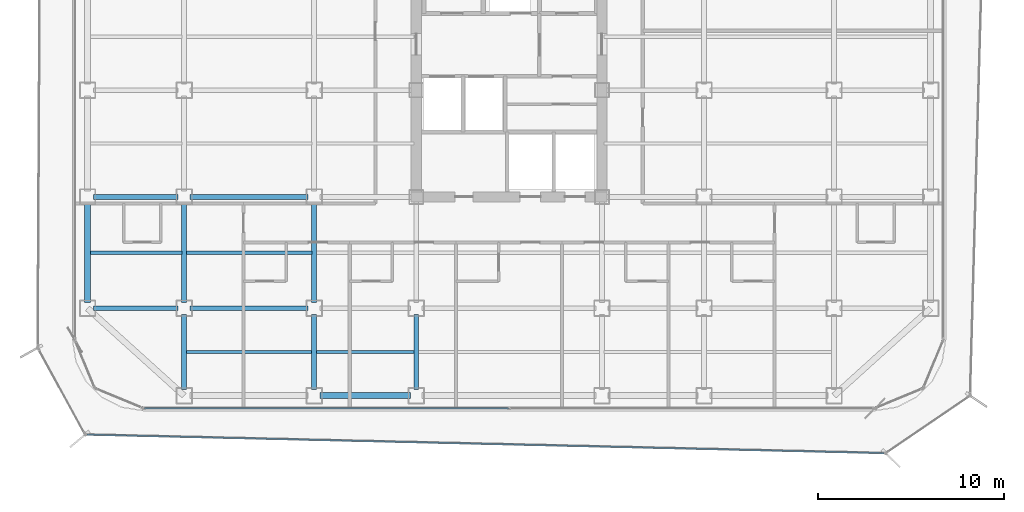
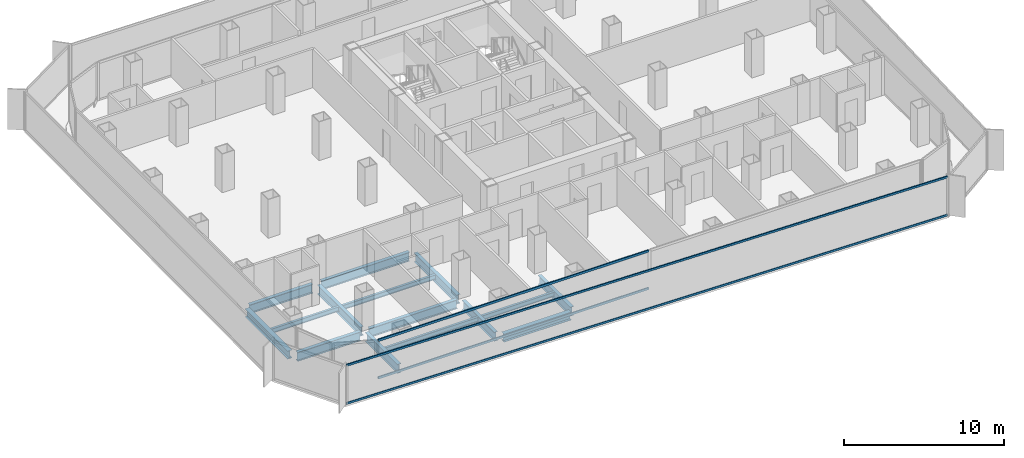
# One storey, part 3 of 21: 15 beams, 4 members, 2 elements without a shape of their own.
"""IFC4 building model written with IfcOpenShell, lengths in metres."""

import ifcopenshell
import ifcopenshell.guid

model = None  # the IFC model being written
_history = None  # IfcOwnerHistory: only IFC2X3 demands one
_inside = {}  # id of a spatial element -> (the spatial element, [elements in it])
_under = {}  # id of a project, library or spatial element -> (it, [spatial elements below it])
_declared = {}  # id of a project -> (the project, [libraries it declares])
_typed = {}  # id of a type object -> (the type object, [elements of that type])
_made_of = {}  # id of a material, layer set ... -> (it, [elements and type objects made of it])


def new_model(schema):
    """Start an empty IFC model of exactly this schema.

    Asked for "IFC4X3", IfcOpenShell would pick the latest addendum, in which some entities
    have other attributes; the version numbers below select the first issue.
    IFC2X3 requires an IfcOwnerHistory on every rooted entity: one is made here for all.
    """
    global model, _history
    if schema == "IFC4X3":
        model = ifcopenshell.file(schema_version=(4, 3, 0, 0))
    else:
        model = ifcopenshell.file(schema=schema)
    _inside.clear()
    _under.clear()
    _declared.clear()
    _typed.clear()
    _made_of.clear()
    _history = None
    if model.schema == "IFC2X3":
        org = make("IfcOrganization", Name="unknown")
        user = make(
            "IfcPersonAndOrganization",
            ThePerson=make("IfcPerson", FamilyName="unknown"),
            TheOrganization=org,
        )
        app = make(
            "IfcApplication",
            ApplicationDeveloper=org,
            Version="unknown",
            ApplicationFullName="unknown",
            ApplicationIdentifier="unknown",
        )
        _history = make(
            "IfcOwnerHistory",
            OwningUser=user,
            OwningApplication=app,
            ChangeAction="ADDED",
            CreationDate=0,
        )
    return model


def make(cls, **values):
    """One entity of the class cls with the attributes given. An attribute that is None is left unset."""
    return model.create_entity(
        cls, **{name: value for name, value in values.items() if value is not None}
    )


def rooted(cls, **values):
    """An entity with a GlobalId (a new one), such as an element, a storey or a relation."""
    return make(cls, GlobalId=ifcopenshell.guid.new(), OwnerHistory=_history, **values)


def si_unit(unit_type, name, prefix=None):
    """IfcSIUnit, for example si_unit("LENGTHUNIT", "METRE", prefix="MILLI")."""
    return make("IfcSIUnit", UnitType=unit_type, Prefix=prefix, Name=name)


def assignment(units):
    """IfcUnitAssignment: the units of a project."""
    return None if units is None else make("IfcUnitAssignment", Units=units)


def point(xyz):
    """IfcCartesianPoint."""
    return None if xyz is None else make("IfcCartesianPoint", Coordinates=xyz)


def direction(xyz):
    """IfcDirection."""
    return None if xyz is None else make("IfcDirection", DirectionRatios=xyz)


def frame(location, z_axis=None, x_axis=None):
    """IfcAxis2Placement3D, a coordinate frame: its origin and axes. An axis left out is left unset."""
    return make(
        "IfcAxis2Placement3D",
        Location=point(location),
        Axis=direction(z_axis),
        RefDirection=direction(x_axis),
    )


def frame_2d(location, x_axis=None):
    """IfcAxis2Placement2D, a coordinate frame in the plane: its origin and x axis."""
    return make(
        "IfcAxis2Placement2D", Location=point(location), RefDirection=direction(x_axis)
    )


def origin():
    """The frame at (0, 0, 0) with its axes left unset."""
    return frame((0.0, 0.0, 0.0))


def origin_2d():
    """The frame at (0, 0) in the plane with its x axis left unset."""
    return frame_2d((0.0, 0.0))


def place(relative_to, where):
    """IfcLocalPlacement: puts the frame where relative to a parent placement (None: the world)."""
    return make(
        "IfcLocalPlacement", PlacementRelTo=relative_to, RelativePlacement=where
    )


def context(
    kind, dimensions, precision=None, world=None, true_north=None, identifier=None
):
    """IfcGeometricRepresentationContext, for example the 3D "Model" context."""
    return make(
        "IfcGeometricRepresentationContext",
        ContextIdentifier=identifier,
        ContextType=kind,
        CoordinateSpaceDimension=dimensions,
        Precision=precision,
        WorldCoordinateSystem=world,
        TrueNorth=true_north,
    )


def subcontext(parent, identifier, kind, view, scale=None):
    """IfcGeometricRepresentationSubContext, for example "Body" below "Model"."""
    return make(
        "IfcGeometricRepresentationSubContext",
        ContextIdentifier=identifier,
        ContextType=kind,
        ParentContext=parent,
        TargetScale=scale,
        TargetView=view,
    )


def project(units=None, contexts=None):
    """IfcProject with its units and contexts."""
    return rooted(
        "IfcProject",
        Name="project",
        RepresentationContexts=contexts,
        UnitsInContext=assignment(units),
    )


def spatial(cls, under=None, at=None, **own):
    """A site, building, storey or space (cls), placed at a placement, below another one or the project."""
    s = rooted(cls, ObjectPlacement=at, **own)
    if under is not None:
        _under.setdefault(under.id(), (under, []))[1].append(s)
    return s


def profile(cls, at=None, kind="AREA", **sizes):
    """A parametric profile (cls). Its sizes go by their IFC names, for example OverallWidth=200.0."""
    return make(cls, ProfileType=kind, Position=at, **sizes)


def hollow_rectangle(**sizes):
    """IfcRectangleHollowProfileDef."""
    return profile("IfcRectangleHollowProfileDef", **sizes)


def i_section(**sizes):
    """IfcIShapeProfileDef."""
    return profile("IfcIShapeProfileDef", **sizes)


def extrude(swept, where, along, depth):
    """IfcExtrudedAreaSolid: the profile swept, set in the frame where, extruded along a direction by depth."""
    return make(
        "IfcExtrudedAreaSolid",
        SweptArea=swept,
        Position=where,
        ExtrudedDirection=direction(along),
        Depth=depth,
    )


def shape(context_of_items, identifier, shape_type, items):
    """IfcShapeRepresentation: the items that make up one representation, for example the "Body"."""
    return make(
        "IfcShapeRepresentation",
        ContextOfItems=context_of_items,
        RepresentationIdentifier=identifier,
        RepresentationType=shape_type,
        Items=items,
    )


def source(mapping_origin, context_of_items, identifier, shape_type, items):
    """IfcRepresentationMap: a shape defined once, which mapped items show again and again."""
    return make(
        "IfcRepresentationMap",
        MappingOrigin=mapping_origin,
        MappedRepresentation=shape(context_of_items, identifier, shape_type, items),
    )


def transform(
    local_origin,
    x_axis=None,
    y_axis=None,
    z_axis=None,
    scale=None,
    scale2=None,
    scale3=None,
    uniform=True,
):
    """IfcCartesianTransformationOperator3D, or its non-uniform kind. x_axis, y_axis, z_axis: its Axis1, 2, 3."""
    if uniform:
        return make(
            "IfcCartesianTransformationOperator3D",
            Axis1=direction(x_axis),
            Axis2=direction(y_axis),
            LocalOrigin=point(local_origin),
            Scale=scale,
            Axis3=direction(z_axis),
        )
    return make(
        "IfcCartesianTransformationOperator3DnonUniform",
        Axis1=direction(x_axis),
        Axis2=direction(y_axis),
        LocalOrigin=point(local_origin),
        Scale=scale,
        Axis3=direction(z_axis),
        Scale2=scale2,
        Scale3=scale3,
    )


def mapped(mapping_source, mapping_target):
    """IfcMappedItem: shows the shape of a source again, moved by a transform."""
    return make(
        "IfcMappedItem", MappingSource=mapping_source, MappingTarget=mapping_target
    )


def material(Name=None, Category=None):
    """IfcMaterial."""
    return make("IfcMaterial", Name=Name, Category=Category)


def layer(
    of_material, thickness, ventilated=None, Name=None, Category=None, Priority=None
):
    """IfcMaterialLayer: one layer of a wall or slab, of a material (None: an air gap)."""
    return make(
        "IfcMaterialLayer",
        Material=of_material,
        LayerThickness=thickness,
        IsVentilated=ventilated,
        Name=Name,
        Category=Category,
        Priority=Priority,
    )


def layer_set(layers, Name=None):
    """IfcMaterialLayerSet."""
    return make("IfcMaterialLayerSet", MaterialLayers=layers, LayerSetName=Name)


def material_profile(
    of_material, cross_section, Name=None, Category=None, Priority=None
):
    """IfcMaterialProfile: a cross section and its material."""
    return make(
        "IfcMaterialProfile",
        Name=Name,
        Material=of_material,
        Profile=cross_section,
        Priority=Priority,
        Category=Category,
    )


def profile_set(profiles, Name=None, composite=None):
    """IfcMaterialProfileSet."""
    return make(
        "IfcMaterialProfileSet",
        Name=Name,
        MaterialProfiles=profiles,
        CompositeProfile=composite,
    )


def made_of(thing, what):
    """Note that an element or type object is made of a material, layer set ...; save() writes the relation."""
    if what is not None:
        _made_of.setdefault(what.id(), (what, []))[1].append(thing)
    return thing


def type_object(cls, material=None, **own):
    """A type object (cls), such as IfcWallType, which elements share."""
    return made_of(rooted(cls, **own), material)


def element(
    cls,
    number,
    at=None,
    inside=None,
    cuts=None,
    type_object=None,
    material=None,
    context=None,
    identifier="Body",
    shape_type=None,
    held_by="IfcProductDefinitionShape",
    body=None,
    shapes=None,
    **own,
):
    """One element of the class cls, such as IfcWall. Its Tag is "e" and its number.

    at: its placement. inside: the storey or other place that contains it. cuts: it is an
    opening in that element (IfcRelVoidsElement). A single representation is given by context,
    identifier, shape_type and body (its items); several are given by shapes. held_by: the class
    of the entity that holds the representations. save() writes the other relations.
    """
    e = rooted(cls, Tag="e%d" % number, ObjectPlacement=at, **own)
    if body is not None:
        shapes = [shape(context, identifier, shape_type, body)]
    if shapes is not None:
        e.Representation = make(held_by, Representations=shapes)
    if inside is not None:
        _inside.setdefault(inside.id(), (inside, []))[1].append(e)
    if cuts is not None:
        rooted(
            "IfcRelVoidsElement", RelatingBuildingElement=cuts, RelatedOpeningElement=e
        )
    if type_object is not None:
        _typed.setdefault(type_object.id(), (type_object, []))[1].append(e)
    return made_of(e, material)


def aggregate(whole, parts):
    """IfcRelAggregates: a whole, such as a stair, and the parts it consists of."""
    return rooted("IfcRelAggregates", RelatingObject=whole, RelatedObjects=parts)


def save(model, path):
    """Write the relations noted so far, then the file.

    IfcRelAggregates (storeys below a building ...), IfcRelContainedInSpatialStructure (elements
    in a storey), IfcRelDefinesByType, IfcRelAssociatesMaterial and IfcRelDeclares: one each for
    every whole, place, type object, material and project.
    """
    for whole, parts in _under.values():
        aggregate(whole, parts)
    for where, things in _inside.values():
        rooted(
            "IfcRelContainedInSpatialStructure",
            RelatedElements=things,
            RelatingStructure=where,
        )
    for kind, things in _typed.values():
        rooted("IfcRelDefinesByType", RelatedObjects=things, RelatingType=kind)
    for what, things in _made_of.values():
        rooted("IfcRelAssociatesMaterial", RelatedObjects=things, RelatingMaterial=what)
    for by, libraries in _declared.values():
        rooted("IfcRelDeclares", RelatingContext=by, RelatedDefinitions=libraries)
    model.write(path)


model = new_model("IFC4")

# Units and contexts
model_context = context("Model", 3, precision=1e-05, world=origin(), true_north=direction((0.0, 1.0)))
body_context = subcontext(model_context, "Body", "Model", "MODEL_VIEW")
ifc_project = project(units=[si_unit("LENGTHUNIT", "METRE"), si_unit("AREAUNIT", "SQUARE_METRE"), si_unit("VOLUMEUNIT", "CUBIC_METRE"), si_unit("PLANEANGLEUNIT", "RADIAN"), si_unit("MASSUNIT", "GRAM", prefix="KILO")], contexts=[model_context])

# Site, building, storey
site_placement = place(None, origin())
site = spatial("IfcSite", under=ifc_project, at=site_placement, CompositionType="ELEMENT")
building_placement = place(site_placement, origin())
building = spatial("IfcBuilding", under=site, at=building_placement, Name="Kolveth Station Tower", CompositionType="ELEMENT")
storey_placement = place(building_placement, frame((0.0, 0.0, 102.300048828125)))
storey = spatial("IfcBuildingStorey", under=building, at=storey_placement, Name="L27", CompositionType="ELEMENT", Elevation=102.300048828125)

# Beams
ifc_material_1 = material(Name="Steel S355", Category="steel")
ifc_material_profile_1 = material_profile(ifc_material_1, i_section(OverallWidth=0.323974609375, OverallDepth=0.611083984375, WebThickness=0.0126953125, FlangeThickness=0.01904296875, at=origin_2d()), Name="W610x155")
ifc_profile_set_1 = profile_set([ifc_material_profile_1], Name="Steel S355")
beam_type_1 = type_object("IfcBeamType", Name="Beam_SP2", PredefinedType="SPANDREL", material=ifc_profile_set_1)
shared_shape_1 = source(origin(), body_context, "Body", "SweptSolid", [
    extrude(i_section(OverallWidth=0.323974609375, OverallDepth=0.611083984375, WebThickness=0.0126953125, FlangeThickness=0.01904296875, at=origin_2d()), origin(), (0.0, 0.0, 1.0), 4.85986328125),
])
beam_1_placement = place(storey_placement, frame((13.320068359375, 0.800048828125, -0.5556640625), z_axis=(1.0, 0.0, 0.0), x_axis=(0.0, 1.0, 0.0)))
element("IfcBeam", 1, at=beam_1_placement, inside=storey, type_object=beam_type_1, Name="L27 Perimeter Spandrel BM-L27-PS-2", PredefinedType="SPANDREL", context=body_context, shape_type="MappedRepresentation", body=[
    mapped(shared_shape_1, transform((0.0, 0.0, 0.0), x_axis=(1.0, 0.0, 0.0), y_axis=(0.0, 1.0, 0.0), z_axis=(0.0, 0.0, 1.0), scale=1.0)),
])
shared_shape_2 = source(origin(), body_context, "Body", "SweptSolid", [
    extrude(i_section(OverallWidth=0.323974609375, OverallDepth=0.611083984375, WebThickness=0.0126953125, FlangeThickness=0.01904296875, at=origin_2d()), origin(), (0.0, 0.0, 1.0), 5.35986328125),
])
beam_2_placement = place(storey_placement, frame((0.800048828125, 5.820068359375, -0.5556640625), z_axis=(0.0, 1.0, 0.0), x_axis=(-1.0, 0.0, 0.0)))
element("IfcBeam", 2, at=beam_2_placement, inside=storey, type_object=beam_type_1, Name="L27 Perimeter Spandrel BM-L27-PW-1", PredefinedType="SPANDREL", context=body_context, shape_type="MappedRepresentation", body=[
    mapped(shared_shape_2, transform((0.0, 0.0, 0.0), x_axis=(1.0, 0.0, 0.0), y_axis=(0.0, 1.0, 0.0), z_axis=(0.0, 0.0, 1.0), scale=1.0)),
])
ifc_material_profile_2 = material_profile(ifc_material_1, i_section(OverallWidth=0.25390625, OverallDepth=0.68798828125, WebThickness=0.01318359375, FlangeThickness=0.02099609375, at=origin_2d()), Name="W690x152")
ifc_profile_set_2 = profile_set([ifc_material_profile_2], Name="Steel S355")
beam_type_2 = type_object("IfcBeamType", Name="Beam_B4", PredefinedType="BEAM", material=ifc_profile_set_2)
shared_shape_3 = source(origin(), body_context, "Body", "SweptSolid", [
    extrude(i_section(OverallWidth=0.25390625, OverallDepth=0.68798828125, WebThickness=0.01318359375, FlangeThickness=0.02099609375, at=origin_2d()), origin(), (0.0, 0.0, 1.0), 4.559814453125),
])
for number, where, z_axis, x_axis, name in (
    (3, (1.1201171875, 5.5, -0.593994140625), (1.0, 0.0, 0.0), (0.0, 1.0, 0.0), "L27 Primary Girder BM-L27-GY55-1"),
    (4, (1.1201171875, 11.5, -0.593994140625), (1.0, 0.0, 0.0), (0.0, 1.0, 0.0), "L27 Primary Girder BM-L27-GY115-1"),
):
    element("IfcBeam", number, at=place(storey_placement, frame(where, z_axis=z_axis, x_axis=x_axis)), inside=storey, type_object=beam_type_2, Name=name, PredefinedType="BEAM", context=body_context, shape_type="MappedRepresentation", body=[
        mapped(shared_shape_3, transform((0.0, 0.0, 0.0), x_axis=(1.0, 0.0, 0.0), y_axis=(0.0, 1.0, 0.0), z_axis=(0.0, 0.0, 1.0), scale=1.0)),
    ])
shared_shape_4 = source(origin(), body_context, "Body", "SweptSolid", [
    extrude(i_section(OverallWidth=0.25390625, OverallDepth=0.68798828125, WebThickness=0.01318359375, FlangeThickness=0.02099609375, at=origin_2d()), origin(), (0.0, 0.0, 1.0), 6.35986328125),
])
for number, where, z_axis, x_axis, name in (
    (5, (6.320068359375, 5.5, -0.593994140625), (1.0, 0.0, 0.0), (0.0, 1.0, 0.0), "L27 Primary Girder BM-L27-GY55-2"),
    (6, (6.320068359375, 11.5, -0.593994140625), (1.0, 0.0, 0.0), (0.0, 1.0, 0.0), "L27 Primary Girder BM-L27-GY115-2"),
):
    element("IfcBeam", number, at=place(storey_placement, frame(where, z_axis=z_axis, x_axis=x_axis)), inside=storey, type_object=beam_type_2, Name=name, PredefinedType="BEAM", context=body_context, shape_type="MappedRepresentation", body=[
        mapped(shared_shape_4, transform((0.0, 0.0, 0.0), x_axis=(1.0, 0.0, 0.0), y_axis=(0.0, 1.0, 0.0), z_axis=(0.0, 0.0, 1.0), scale=1.0)),
    ])
shared_shape_5 = source(origin(), body_context, "Body", "SweptSolid", [
    extrude(i_section(OverallWidth=0.25390625, OverallDepth=0.68798828125, WebThickness=0.01318359375, FlangeThickness=0.02099609375, at=origin_2d()), origin(), (0.0, 0.0, 1.0), 4.059814453125),
])
for number, where, z_axis, x_axis, name in (
    (7, (6.0, 1.1201171875, -0.593994140625), (0.0, 1.0, 0.0), (-1.0, 0.0, 0.0), "L27 Primary Girder BM-L27-GX60-1"),
    (8, (13.0, 1.1201171875, -0.593994140625), (0.0, 1.0, 0.0), (-1.0, 0.0, 0.0), "L27 Primary Girder BM-L27-GX130-1"),
    (9, (18.5, 1.1201171875, -0.593994140625), (0.0, 1.0, 0.0), (-1.0, 0.0, 0.0), "L27 Primary Girder BM-L27-GX185-1"),
):
    element("IfcBeam", number, at=place(storey_placement, frame(where, z_axis=z_axis, x_axis=x_axis)), inside=storey, type_object=beam_type_2, Name=name, PredefinedType="BEAM", context=body_context, shape_type="MappedRepresentation", body=[
        mapped(shared_shape_5, transform((0.0, 0.0, 0.0), x_axis=(1.0, 0.0, 0.0), y_axis=(0.0, 1.0, 0.0), z_axis=(0.0, 0.0, 1.0), scale=1.0)),
    ])
shared_shape_6 = source(origin(), body_context, "Body", "SweptSolid", [
    extrude(i_section(OverallWidth=0.25390625, OverallDepth=0.68798828125, WebThickness=0.01318359375, FlangeThickness=0.02099609375, at=origin_2d()), origin(), (0.0, 0.0, 1.0), 5.35986328125),
])
for number, where, z_axis, x_axis, name in (
    (10, (6.0, 5.820068359375, -0.593994140625), (0.0, 1.0, 0.0), (-1.0, 0.0, 0.0), "L27 Primary Girder BM-L27-GX60-2"),
    (11, (13.0, 5.820068359375, -0.593994140625), (0.0, 1.0, 0.0), (-1.0, 0.0, 0.0), "L27 Primary Girder BM-L27-GX130-2"),
):
    element("IfcBeam", number, at=place(storey_placement, frame(where, z_axis=z_axis, x_axis=x_axis)), inside=storey, type_object=beam_type_2, Name=name, PredefinedType="BEAM", context=body_context, shape_type="MappedRepresentation", body=[
        mapped(shared_shape_6, transform((0.0, 0.0, 0.0), x_axis=(1.0, 0.0, 0.0), y_axis=(0.0, 1.0, 0.0), z_axis=(0.0, 0.0, 1.0), scale=1.0)),
    ])
ifc_material_profile_3 = material_profile(ifc_material_1, i_section(OverallWidth=0.1708984375, OverallDepth=0.35205078125, WebThickness=0.0068359375, FlangeThickness=0.009765625, at=origin_2d()), Name="W360x44")
ifc_profile_set_3 = profile_set([ifc_material_profile_3], Name="Steel S355")
beam_type_3 = type_object("IfcBeamType", Name="Beam_J2", PredefinedType="JOIST", material=ifc_profile_set_3)
shared_shape_7 = source(origin(), body_context, "Body", "SweptSolid", [
    extrude(i_section(OverallWidth=0.1708984375, OverallDepth=0.35205078125, WebThickness=0.0068359375, FlangeThickness=0.009765625, at=origin_2d()), origin(), (0.0, 0.0, 1.0), 4.9150390625),
])
beam_3_placement = place(storey_placement, frame((0.9599609375, 8.5, -0.426025390625), z_axis=(1.0, 0.0, 0.0), x_axis=(0.0, 1.0, 0.0)))
element("IfcBeam", 12, at=beam_3_placement, inside=storey, type_object=beam_type_3, Name="L27 Secondary Joist JST-L27-1-2", PredefinedType="JOIST", context=body_context, shape_type="MappedRepresentation", body=[
    mapped(shared_shape_7, transform((0.0, 0.0, 0.0), x_axis=(1.0, 0.0, 0.0), y_axis=(0.0, 1.0, 0.0), z_axis=(0.0, 0.0, 1.0), scale=1.0)),
])
shared_shape_8 = source(origin(), body_context, "Body", "SweptSolid", [
    extrude(i_section(OverallWidth=0.1708984375, OverallDepth=0.35205078125, WebThickness=0.0068359375, FlangeThickness=0.009765625, at=origin_2d()), origin(), (0.0, 0.0, 1.0), 6.75),
])
for number, where, z_axis, x_axis, name in (
    (13, (6.125, 3.14990234375, -0.426025390625), (1.0, 0.0, 0.0), (0.0, 1.0, 0.0), "L27 Secondary Joist JST-L27-2-1"),
    (14, (6.125, 8.5, -0.426025390625), (1.0, 0.0, 0.0), (0.0, 1.0, 0.0), "L27 Secondary Joist JST-L27-2-2"),
):
    element("IfcBeam", number, at=place(storey_placement, frame(where, z_axis=z_axis, x_axis=x_axis)), inside=storey, type_object=beam_type_3, Name=name, PredefinedType="JOIST", context=body_context, shape_type="MappedRepresentation", body=[
        mapped(shared_shape_8, transform((0.0, 0.0, 0.0), x_axis=(1.0, 0.0, 0.0), y_axis=(0.0, 1.0, 0.0), z_axis=(0.0, 0.0, 1.0), scale=1.0)),
    ])
shared_shape_9 = source(origin(), body_context, "Body", "SweptSolid", [
    extrude(i_section(OverallWidth=0.1708984375, OverallDepth=0.35205078125, WebThickness=0.0068359375, FlangeThickness=0.009765625, at=origin_2d()), origin(), (0.0, 0.0, 1.0), 5.25),
])
beam_4_placement = place(storey_placement, frame((13.125, 3.14990234375, -0.426025390625), z_axis=(1.0, 0.0, 0.0), x_axis=(0.0, 1.0, 0.0)))
element("IfcBeam", 15, at=beam_4_placement, inside=storey, type_object=beam_type_3, Name="L27 Secondary Joist JST-L27-3-1", PredefinedType="JOIST", context=body_context, shape_type="MappedRepresentation", body=[
    mapped(shared_shape_9, transform((0.0, 0.0, 0.0), x_axis=(1.0, 0.0, 0.0), y_axis=(0.0, 1.0, 0.0), z_axis=(0.0, 0.0, 1.0), scale=1.0)),
])

# Curtain wall, members
ifc_material_2 = material(Name="Aluminium 6063-T6 and low-E dark glass", Category="aluminium")
ifc_layer_1 = layer(ifc_material_2, 0.18994140625)
ifc_layer_set_1 = layer_set([ifc_layer_1], Name="Aluminium 6063-T6 and low-E dark glass")
curtain_wall_type_1 = type_object("IfcCurtainWallType", Name="CurtainWall_CW-Z2", PredefinedType="NOTDEFINED", material=ifc_layer_set_1)
curtain_wall_1_placement = place(storey_placement, origin())
curtain_wall_1 = element("IfcCurtainWall", 16, at=curtain_wall_1_placement, inside=storey, type_object=curtain_wall_type_1, Name="L27 Inner Thermal Curtain Wall 12", PredefinedType="NOTDEFINED")
ifc_material_3 = material(Name="Black anodized aluminium 6063-T6", Category="aluminium")
ifc_material_profile_4 = material_profile(ifc_material_3, hollow_rectangle(XDim=0.080078125, YDim=0.169921875, WallThickness=0.0048828125, at=origin_2d()), Name="ALU-80x170x5")
ifc_profile_set_4 = profile_set([ifc_material_profile_4], Name="Black anodized aluminium 6063-T6")
member_type_1 = type_object("IfcMemberType", Name="Transom_TR2", PredefinedType="USERDEFINED", material=ifc_profile_set_4)
shared_shape_10 = source(origin(), body_context, "Body", "SweptSolid", [
    extrude(hollow_rectangle(XDim=0.080078125, YDim=0.169921875, WallThickness=0.0048828125, at=origin_2d()), origin(), (0.0, 0.0, 1.0), 19.580078125),
])
member_1_placement = place(storey_placement, frame((3.8798828125, 0.1201171875, 0.0400390625), z_axis=(1.0, 0.0, 0.0), x_axis=(0.0, 1.0, 0.0)))
member_1 = element("IfcMember", 17, at=member_1_placement, type_object=member_type_1, Name="CW-Z2 transom 1.1", ObjectType="TRANSOM", PredefinedType="USERDEFINED", context=body_context, shape_type="MappedRepresentation", body=[
    mapped(shared_shape_10, transform((0.0, 0.0, 0.0), x_axis=(1.0, 0.0, 0.0), y_axis=(0.0, 1.0, 0.0), z_axis=(0.0, 0.0, 1.0), scale=1.0)),
])
member_2_placement = place(storey_placement, frame((3.8798828125, 0.1201171875, 2.909912109375), z_axis=(1.0, 0.0, 0.0), x_axis=(0.0, 1.0, 0.0)))
member_2 = element("IfcMember", 18, at=member_2_placement, type_object=member_type_1, Name="CW-Z2 transom 1.2", ObjectType="TRANSOM", PredefinedType="USERDEFINED", context=body_context, shape_type="MappedRepresentation", body=[
    mapped(shared_shape_10, transform((0.0, 0.0, 0.0), x_axis=(1.0, 0.0, 0.0), y_axis=(0.0, 1.0, 0.0), z_axis=(0.0, 0.0, 1.0), scale=1.0)),
])
aggregate(curtain_wall_1, [member_1, member_2])

ifc_material_4 = material(Name="Black anodized aluminium 6063-T6 and dark solar glass", Category="aluminium")
ifc_layer_2 = layer(ifc_material_4, 0.159912109375)
ifc_layer_set_2 = layer_set([ifc_layer_2], Name="Black anodized aluminium 6063-T6 and dark solar glass")
curtain_wall_type_2 = type_object("IfcCurtainWallType", Name="OUTER SKIN CW-OS", PredefinedType="NOTDEFINED", material=ifc_layer_set_2)
curtain_wall_2_placement = place(storey_placement, origin())
curtain_wall_2 = element("IfcCurtainWall", 19, at=curtain_wall_2_placement, inside=storey, type_object=curtain_wall_type_2, Name="L27 Outer Ventilated Skin Curtain Wall 8", PredefinedType="NOTDEFINED")
ifc_material_profile_5 = material_profile(ifc_material_3, hollow_rectangle(XDim=0.080078125, YDim=0.14990234375, WallThickness=0.0048828125, at=origin_2d()), Name="ALU-80x150x5")
ifc_profile_set_5 = profile_set([ifc_material_profile_5], Name="Black anodized aluminium 6063-T6")
member_type_2 = type_object("IfcMemberType", Name="Transom_TR-OS", PredefinedType="USERDEFINED", material=ifc_profile_set_5)
shared_shape_11 = source(origin(), body_context, "Body", "SweptSolid", [
    extrude(hollow_rectangle(XDim=0.080078125, YDim=0.14990234375, WallThickness=0.0048828125, at=origin_2d()), origin(), (0.0, 0.0, 1.0), 42.93408203125),
])
member_3_placement = place(storey_placement, frame((0.768798828125, -1.295654296875, 0.0400390625), z_axis=(0.999730040416, -0.023234592518, 0.0), x_axis=(0.023234592518, 0.999730040416, 0.0)))
member_3 = element("IfcMember", 20, at=member_3_placement, type_object=member_type_2, Name="CW-OS transom 1.1", ObjectType="TRANSOM", PredefinedType="USERDEFINED", context=body_context, shape_type="MappedRepresentation", body=[
    mapped(shared_shape_11, transform((0.0, 0.0, 0.0), x_axis=(1.0, 0.0, 0.0), y_axis=(0.0, 1.0, 0.0), z_axis=(0.0, 0.0, 1.0), scale=1.0)),
])
member_4_placement = place(storey_placement, frame((0.768798828125, -1.295654296875, 2.949951171875), z_axis=(0.999730040416, -0.023234592518, 0.0), x_axis=(0.023234592518, 0.999730040416, 0.0)))
member_4 = element("IfcMember", 21, at=member_4_placement, type_object=member_type_2, Name="CW-OS transom 1.2", ObjectType="TRANSOM", PredefinedType="USERDEFINED", context=body_context, shape_type="MappedRepresentation", body=[
    mapped(shared_shape_11, transform((0.0, 0.0, 0.0), x_axis=(1.0, 0.0, 0.0), y_axis=(0.0, 1.0, 0.0), z_axis=(0.0, 0.0, 1.0), scale=1.0)),
])
aggregate(curtain_wall_2, [member_3, member_4])

save(model, "model.ifc")
